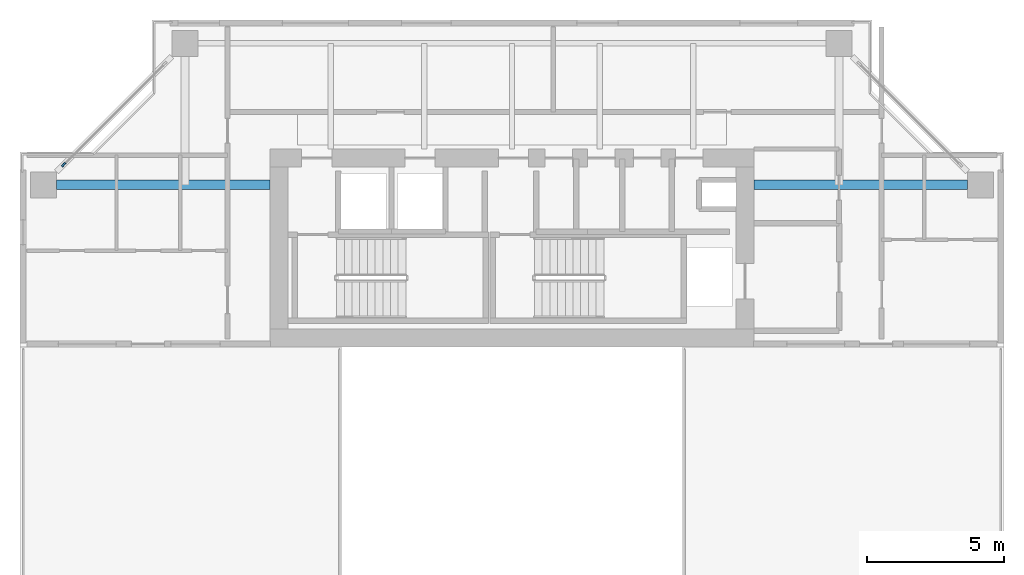
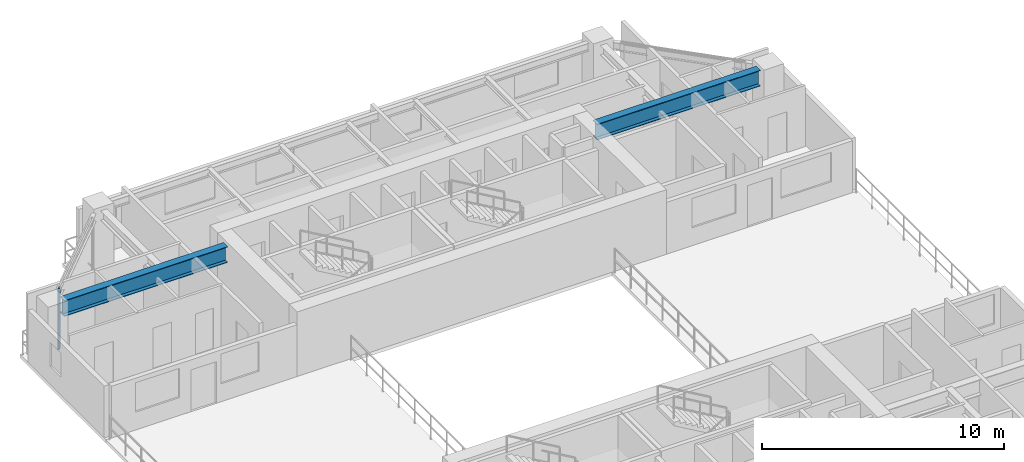
# One storey, part 3 of 14: 2 beams, 1 member, 1 element without a shape of its own.
"""IFC4 building model written with IfcOpenShell, lengths in metres."""

from ifc_helpers import new_model, si_unit, direction, frame, origin, origin_2d, place, context, subcontext, project, spatial, rectangle, i_section, extrude, source, transform, mapped, material, layer, layer_set, material_profile, profile_set, type_object, element, aggregate, save


model = new_model("IFC4")

# Units and contexts
model_context = context("Model", 3, precision=1e-05, world=origin(), true_north=direction((0.0, 1.0)))
body_context = subcontext(model_context, "Body", "Model", "MODEL_VIEW")
ifc_project = project(units=[si_unit("LENGTHUNIT", "METRE"), si_unit("AREAUNIT", "SQUARE_METRE"), si_unit("VOLUMEUNIT", "CUBIC_METRE"), si_unit("PLANEANGLEUNIT", "RADIAN"), si_unit("MASSUNIT", "GRAM", prefix="KILO"), si_unit("THERMODYNAMICTEMPERATUREUNIT", "KELVIN"), si_unit("POWERUNIT", "WATT")], contexts=[model_context])

# Site, building, storey
site_placement = place(None, origin())
site = spatial("IfcSite", under=ifc_project, at=site_placement, CompositionType="ELEMENT")
building_placement = place(site_placement, origin())
building = spatial("IfcBuilding", under=site, at=building_placement, Name="Qiaomeng Ring Towers", CompositionType="ELEMENT")
storey_placement = place(building_placement, frame((0.0, 0.0, 153.5)))
storey = spatial("IfcBuildingStorey", under=building, at=storey_placement, Name="L44", CompositionType="ELEMENT", Elevation=153.5)

# Beams
ifc_material_1 = material(Name="Steel Q390GJC", Category="steel")
ifc_material_profile_1 = material_profile(ifc_material_1, i_section(OverallWidth=0.35009765625, OverallDepth=0.800048828125, WebThickness=0.01611328125, FlangeThickness=0.028076171875, at=origin_2d()), Name="WH 800x350x16x28")
ifc_profile_set_1 = profile_set([ifc_material_profile_1], Name="Steel Q390GJC")
beam_type = type_object("IfcBeamType", Name="STR-BM-WH800", PredefinedType="BEAM", material=ifc_profile_set_1)
shared_shape_1 = source(origin(), body_context, "Body", "SweptSolid", [
    extrude(i_section(OverallWidth=0.35009765625, OverallDepth=0.800048828125, WebThickness=0.01611328125, FlangeThickness=0.028076171875, at=origin_2d()), origin(), (0.0, 0.0, 1.0), 7.77587890625),
])
for number, where, z_axis, x_axis, name in (
    (1, (2.424072265625, 34.89990234375, 2.669921875), (1.0, 0.0, 0.0), (0.0, 1.0, 0.0), "L44 beam STR-BM-L44-T1-RAD-W4"),
    (2, (27.800048828125, 34.89990234375, 2.669921875), (1.0, 0.0, 0.0), (0.0, 1.0, 0.0), "L44 beam STR-BM-L44-T1-RAD-E4"),
):
    element("IfcBeam", number, at=place(storey_placement, frame(where, z_axis=z_axis, x_axis=x_axis)), inside=storey, type_object=beam_type, Name=name, PredefinedType="BEAM", context=body_context, shape_type="MappedRepresentation", body=[
        mapped(shared_shape_1, transform((0.0, 0.0, 0.0), x_axis=(1.0, 0.0, 0.0), y_axis=(0.0, 1.0, 0.0), z_axis=(0.0, 0.0, 1.0), scale=1.0)),
    ])

# Curtain wall, member
ifc_material_2 = material(Name="Fluorocarbon dark-grey aluminium", Category="aluminium")
ifc_layer = layer(ifc_material_2, 0.14990234375, Name="Fluorocarbon dark-grey aluminium")
ifc_layer_set = layer_set([ifc_layer], Name="Fluorocarbon dark-grey aluminium")
curtain_wall_type = type_object("IfcCurtainWallType", Name="ARC-CW-3", PredefinedType="NOTDEFINED", material=ifc_layer_set)
curtain_wall_placement = place(storey_placement, origin())
curtain_wall = element("IfcCurtainWall", 3, at=curtain_wall_placement, inside=storey, type_object=curtain_wall_type, Name="L44 Curtain Wall CW3", PredefinedType="NOTDEFINED")
ifc_material_profile_2 = material_profile(ifc_material_2, rectangle(XDim=0.070068359375, YDim=0.179931640625, at=origin_2d()), Name="ALU MULL 70x180")
ifc_profile_set_2 = profile_set([ifc_material_profile_2], Name="Fluorocarbon dark-grey aluminium")
member_type = type_object("IfcMemberType", Name="ARC-CWM-160", PredefinedType="MULLION", material=ifc_profile_set_2)
shared_shape_2 = source(origin(), body_context, "Body", "SweptSolid", [
    extrude(rectangle(XDim=0.070068359375, YDim=0.179931640625, at=origin_2d()), origin(), (0.0, 0.0, 1.0), 3.070068359375),
])
member_placement = place(storey_placement, frame((2.689697265625, 35.6396484375, 0.0), z_axis=(0.0, 0.0, 1.0), x_axis=(0.707106781187, -0.707106781187, 0.0)))
member = element("IfcMember", 4, at=member_placement, type_object=member_type, Name="CW3 mullion 2", PredefinedType="MULLION", context=body_context, shape_type="MappedRepresentation", body=[
    mapped(shared_shape_2, transform((0.0, 0.0, 0.0), x_axis=(1.0, 0.0, 0.0), y_axis=(0.0, 1.0, 0.0), z_axis=(0.0, 0.0, 1.0), scale=1.0)),
])
aggregate(curtain_wall, [member])

save(model, "model.ifc")
